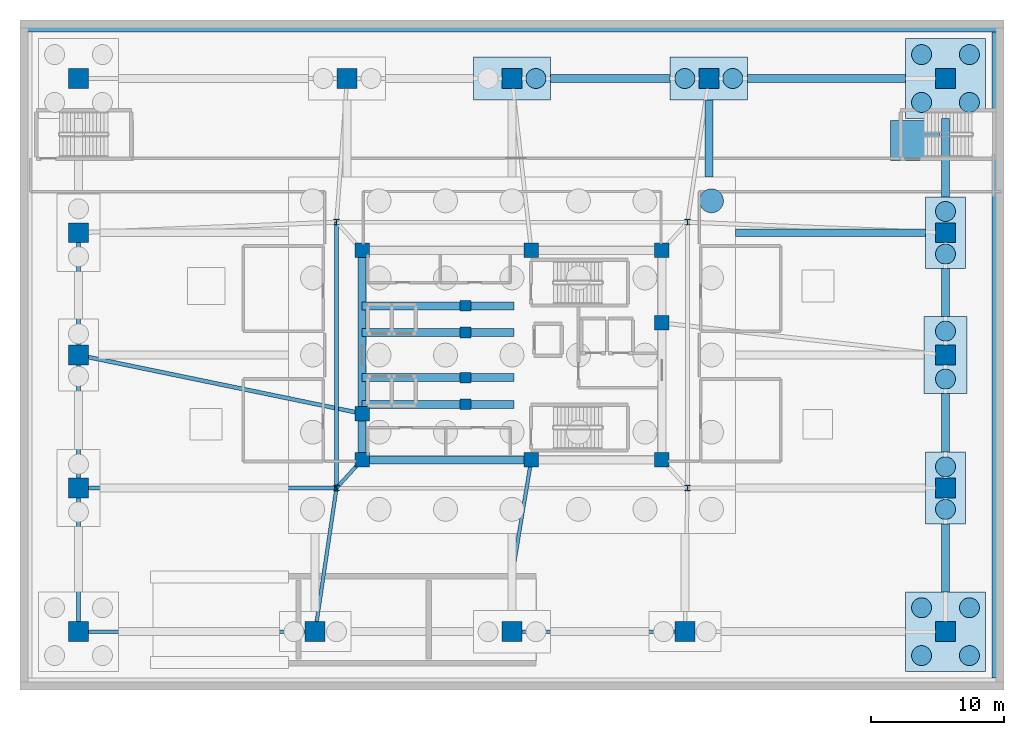
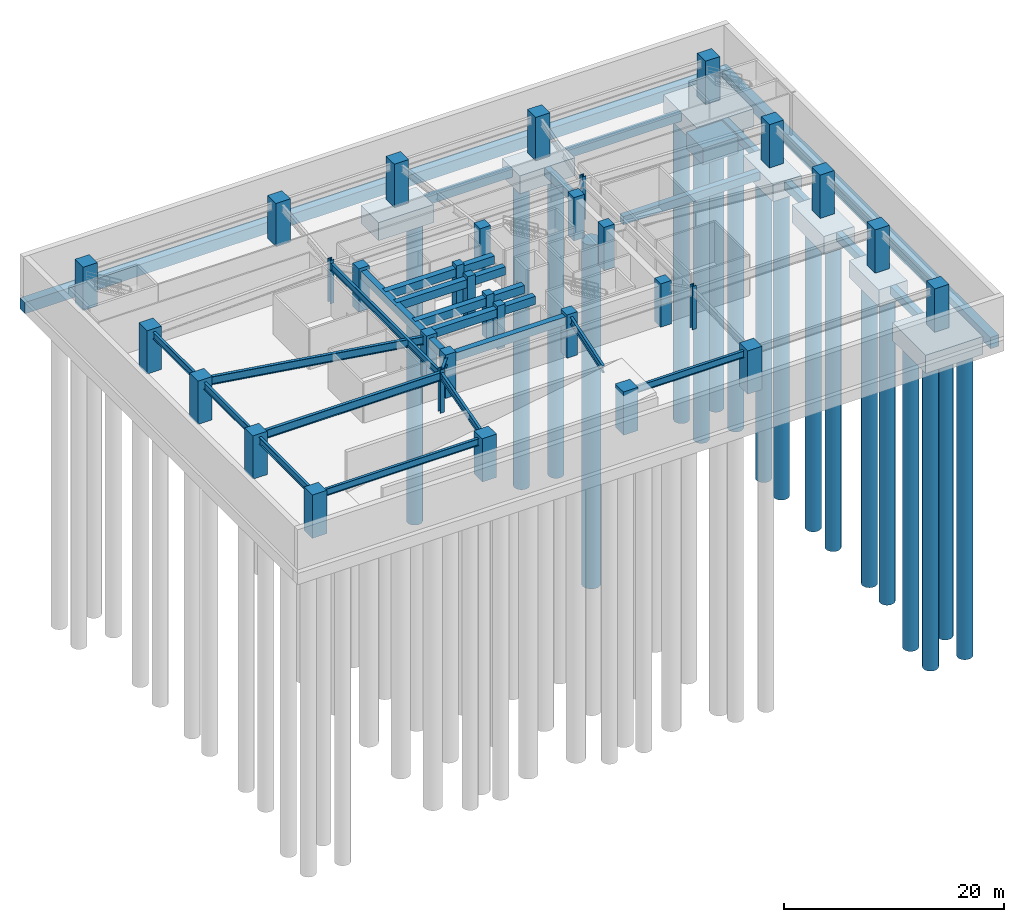
# One storey, part 2 of 8: 32 columns, 18 beams, 18 footings, 18 piles.
"""IFC4 building model written with IfcOpenShell, lengths in metres."""

import ifcopenshell
import ifcopenshell.guid

model = None  # the IFC model being written
_history = None  # IfcOwnerHistory: only IFC2X3 demands one
_inside = {}  # id of a spatial element -> (the spatial element, [elements in it])
_under = {}  # id of a project, library or spatial element -> (it, [spatial elements below it])
_declared = {}  # id of a project -> (the project, [libraries it declares])
_typed = {}  # id of a type object -> (the type object, [elements of that type])
_made_of = {}  # id of a material, layer set ... -> (it, [elements and type objects made of it])


def new_model(schema):
    """Start an empty IFC model of exactly this schema.

    Asked for "IFC4X3", IfcOpenShell would pick the latest addendum, in which some entities
    have other attributes; the version numbers below select the first issue.
    IFC2X3 requires an IfcOwnerHistory on every rooted entity: one is made here for all.
    """
    global model, _history
    if schema == "IFC4X3":
        model = ifcopenshell.file(schema_version=(4, 3, 0, 0))
    else:
        model = ifcopenshell.file(schema=schema)
    _inside.clear()
    _under.clear()
    _declared.clear()
    _typed.clear()
    _made_of.clear()
    _history = None
    if model.schema == "IFC2X3":
        org = make("IfcOrganization", Name="unknown")
        user = make(
            "IfcPersonAndOrganization",
            ThePerson=make("IfcPerson", FamilyName="unknown"),
            TheOrganization=org,
        )
        app = make(
            "IfcApplication",
            ApplicationDeveloper=org,
            Version="unknown",
            ApplicationFullName="unknown",
            ApplicationIdentifier="unknown",
        )
        _history = make(
            "IfcOwnerHistory",
            OwningUser=user,
            OwningApplication=app,
            ChangeAction="ADDED",
            CreationDate=0,
        )
    return model


def make(cls, **values):
    """One entity of the class cls with the attributes given. An attribute that is None is left unset."""
    return model.create_entity(
        cls, **{name: value for name, value in values.items() if value is not None}
    )


def rooted(cls, **values):
    """An entity with a GlobalId (a new one), such as an element, a storey or a relation."""
    return make(cls, GlobalId=ifcopenshell.guid.new(), OwnerHistory=_history, **values)


def si_unit(unit_type, name, prefix=None):
    """IfcSIUnit, for example si_unit("LENGTHUNIT", "METRE", prefix="MILLI")."""
    return make("IfcSIUnit", UnitType=unit_type, Prefix=prefix, Name=name)


def assignment(units):
    """IfcUnitAssignment: the units of a project."""
    return None if units is None else make("IfcUnitAssignment", Units=units)


def point(xyz):
    """IfcCartesianPoint."""
    return None if xyz is None else make("IfcCartesianPoint", Coordinates=xyz)


def direction(xyz):
    """IfcDirection."""
    return None if xyz is None else make("IfcDirection", DirectionRatios=xyz)


def frame(location, z_axis=None, x_axis=None):
    """IfcAxis2Placement3D, a coordinate frame: its origin and axes. An axis left out is left unset."""
    return make(
        "IfcAxis2Placement3D",
        Location=point(location),
        Axis=direction(z_axis),
        RefDirection=direction(x_axis),
    )


def frame_2d(location, x_axis=None):
    """IfcAxis2Placement2D, a coordinate frame in the plane: its origin and x axis."""
    return make(
        "IfcAxis2Placement2D", Location=point(location), RefDirection=direction(x_axis)
    )


def origin():
    """The frame at (0, 0, 0) with its axes left unset."""
    return frame((0.0, 0.0, 0.0))


def origin_2d():
    """The frame at (0, 0) in the plane with its x axis left unset."""
    return frame_2d((0.0, 0.0))


def place(relative_to, where):
    """IfcLocalPlacement: puts the frame where relative to a parent placement (None: the world)."""
    return make(
        "IfcLocalPlacement", PlacementRelTo=relative_to, RelativePlacement=where
    )


def context(
    kind, dimensions, precision=None, world=None, true_north=None, identifier=None
):
    """IfcGeometricRepresentationContext, for example the 3D "Model" context."""
    return make(
        "IfcGeometricRepresentationContext",
        ContextIdentifier=identifier,
        ContextType=kind,
        CoordinateSpaceDimension=dimensions,
        Precision=precision,
        WorldCoordinateSystem=world,
        TrueNorth=true_north,
    )


def subcontext(parent, identifier, kind, view, scale=None):
    """IfcGeometricRepresentationSubContext, for example "Body" below "Model"."""
    return make(
        "IfcGeometricRepresentationSubContext",
        ContextIdentifier=identifier,
        ContextType=kind,
        ParentContext=parent,
        TargetScale=scale,
        TargetView=view,
    )


def project(units=None, contexts=None):
    """IfcProject with its units and contexts."""
    return rooted(
        "IfcProject",
        Name="project",
        RepresentationContexts=contexts,
        UnitsInContext=assignment(units),
    )


def spatial(cls, under=None, at=None, **own):
    """A site, building, storey or space (cls), placed at a placement, below another one or the project."""
    s = rooted(cls, ObjectPlacement=at, **own)
    if under is not None:
        _under.setdefault(under.id(), (under, []))[1].append(s)
    return s


def polyline(points):
    """IfcPolyline through the points."""
    return make("IfcPolyline", Points=[point(p) for p in points])


def profile(cls, at=None, kind="AREA", **sizes):
    """A parametric profile (cls). Its sizes go by their IFC names, for example OverallWidth=200.0."""
    return make(cls, ProfileType=kind, Position=at, **sizes)


def rectangle(**sizes):
    """IfcRectangleProfileDef."""
    return profile("IfcRectangleProfileDef", **sizes)


def circle(**sizes):
    """IfcCircleProfileDef."""
    return profile("IfcCircleProfileDef", **sizes)


def i_section(**sizes):
    """IfcIShapeProfileDef."""
    return profile("IfcIShapeProfileDef", **sizes)


def outline(outer, holes=None, kind="AREA"):
    """IfcArbitraryClosedProfileDef: a profile drawn as a closed curve; with holes, ...WithVoids."""
    if holes is None:
        return make("IfcArbitraryClosedProfileDef", ProfileType=kind, OuterCurve=outer)
    return make(
        "IfcArbitraryProfileDefWithVoids",
        ProfileType=kind,
        OuterCurve=outer,
        InnerCurves=holes,
    )


def extrude(swept, where, along, depth):
    """IfcExtrudedAreaSolid: the profile swept, set in the frame where, extruded along a direction by depth."""
    return make(
        "IfcExtrudedAreaSolid",
        SweptArea=swept,
        Position=where,
        ExtrudedDirection=direction(along),
        Depth=depth,
    )


def shape(context_of_items, identifier, shape_type, items):
    """IfcShapeRepresentation: the items that make up one representation, for example the "Body"."""
    return make(
        "IfcShapeRepresentation",
        ContextOfItems=context_of_items,
        RepresentationIdentifier=identifier,
        RepresentationType=shape_type,
        Items=items,
    )


def material(Name=None, Category=None):
    """IfcMaterial."""
    return make("IfcMaterial", Name=Name, Category=Category)


def layer(
    of_material, thickness, ventilated=None, Name=None, Category=None, Priority=None
):
    """IfcMaterialLayer: one layer of a wall or slab, of a material (None: an air gap)."""
    return make(
        "IfcMaterialLayer",
        Material=of_material,
        LayerThickness=thickness,
        IsVentilated=ventilated,
        Name=Name,
        Category=Category,
        Priority=Priority,
    )


def layer_set(layers, Name=None):
    """IfcMaterialLayerSet."""
    return make("IfcMaterialLayerSet", MaterialLayers=layers, LayerSetName=Name)


def material_profile(
    of_material, cross_section, Name=None, Category=None, Priority=None
):
    """IfcMaterialProfile: a cross section and its material."""
    return make(
        "IfcMaterialProfile",
        Name=Name,
        Material=of_material,
        Profile=cross_section,
        Priority=Priority,
        Category=Category,
    )


def profile_set(profiles, Name=None, composite=None):
    """IfcMaterialProfileSet."""
    return make(
        "IfcMaterialProfileSet",
        Name=Name,
        MaterialProfiles=profiles,
        CompositeProfile=composite,
    )


def made_of(thing, what):
    """Note that an element or type object is made of a material, layer set ...; save() writes the relation."""
    if what is not None:
        _made_of.setdefault(what.id(), (what, []))[1].append(thing)
    return thing


def type_object(cls, material=None, **own):
    """A type object (cls), such as IfcWallType, which elements share."""
    return made_of(rooted(cls, **own), material)


def element(
    cls,
    number,
    at=None,
    inside=None,
    cuts=None,
    type_object=None,
    material=None,
    context=None,
    identifier="Body",
    shape_type=None,
    held_by="IfcProductDefinitionShape",
    body=None,
    shapes=None,
    **own,
):
    """One element of the class cls, such as IfcWall. Its Tag is "e" and its number.

    at: its placement. inside: the storey or other place that contains it. cuts: it is an
    opening in that element (IfcRelVoidsElement). A single representation is given by context,
    identifier, shape_type and body (its items); several are given by shapes. held_by: the class
    of the entity that holds the representations. save() writes the other relations.
    """
    e = rooted(cls, Tag="e%d" % number, ObjectPlacement=at, **own)
    if body is not None:
        shapes = [shape(context, identifier, shape_type, body)]
    if shapes is not None:
        e.Representation = make(held_by, Representations=shapes)
    if inside is not None:
        _inside.setdefault(inside.id(), (inside, []))[1].append(e)
    if cuts is not None:
        rooted(
            "IfcRelVoidsElement", RelatingBuildingElement=cuts, RelatedOpeningElement=e
        )
    if type_object is not None:
        _typed.setdefault(type_object.id(), (type_object, []))[1].append(e)
    return made_of(e, material)


def aggregate(whole, parts):
    """IfcRelAggregates: a whole, such as a stair, and the parts it consists of."""
    return rooted("IfcRelAggregates", RelatingObject=whole, RelatedObjects=parts)


def save(model, path):
    """Write the relations noted so far, then the file.

    IfcRelAggregates (storeys below a building ...), IfcRelContainedInSpatialStructure (elements
    in a storey), IfcRelDefinesByType, IfcRelAssociatesMaterial and IfcRelDeclares: one each for
    every whole, place, type object, material and project.
    """
    for whole, parts in _under.values():
        aggregate(whole, parts)
    for where, things in _inside.values():
        rooted(
            "IfcRelContainedInSpatialStructure",
            RelatedElements=things,
            RelatingStructure=where,
        )
    for kind, things in _typed.values():
        rooted("IfcRelDefinesByType", RelatedObjects=things, RelatingType=kind)
    for what, things in _made_of.values():
        rooted("IfcRelAssociatesMaterial", RelatedObjects=things, RelatingMaterial=what)
    for by, libraries in _declared.values():
        rooted("IfcRelDeclares", RelatingContext=by, RelatedDefinitions=libraries)
    model.write(path)


model = new_model("IFC4")

# Units and contexts
model_context = context("Model", 3, precision=1e-05, world=origin(), true_north=direction((0.0, 1.0)))
body_context = subcontext(model_context, "Body", "Model", "MODEL_VIEW")
ifc_project = project(units=[si_unit("LENGTHUNIT", "METRE"), si_unit("AREAUNIT", "SQUARE_METRE"), si_unit("VOLUMEUNIT", "CUBIC_METRE"), si_unit("PLANEANGLEUNIT", "RADIAN"), si_unit("MASSUNIT", "GRAM", prefix="KILO")], contexts=[model_context])

# Site, building, storey
site_placement = place(None, origin())
site = spatial("IfcSite", under=ifc_project, at=site_placement, CompositionType="ELEMENT")
building_placement = place(site_placement, origin())
building = spatial("IfcBuilding", under=site, at=building_placement, Name="Zulverin Broadcast Headquarters", CompositionType="ELEMENT")
storey_placement = place(building_placement, frame((0.0, 0.0, -9.60009765625)))
storey = spatial("IfcBuildingStorey", under=building, at=storey_placement, Name="B2", CompositionType="ELEMENT", Elevation=-9.60009765625)

# Footings
ifc_material_1 = material(Name="Concrete C50/60", Category="concrete")
ifc_layer_1 = layer(ifc_material_1, 2.0, Name="Concrete C50/60", Category="concrete")
ifc_layer_set_1 = layer_set([ifc_layer_1], Name="Concrete C50/60")
footing_type_1 = type_object("IfcFootingType", Name="FTG-PC-01", PredefinedType="PILE_CAP", material=ifc_layer_set_1)
footing_1_placement = place(storey_placement, frame((0.0, 0.0, -2.39990234375)))
element("IfcFooting", 1, at=footing_1_placement, inside=storey, type_object=footing_type_1, Name="Podium Pile Cap P05", PredefinedType="PILE_CAP", context=body_context, shape_type="SweptSolid", body=[
    extrude(outline(polyline([(66.60009765625, 1.39990234375), (72.60009765625, 1.39990234375), (72.60009765625, 7.39990234375), (66.60009765625, 7.39990234375), (66.60009765625, 1.39990234375)])), origin(), (0.0, 0.0, 1.0), 2.0),
])
footing_2_placement = place(storey_placement, frame((0.0, 0.0, -2.39990234375)))
element("IfcFooting", 2, at=footing_2_placement, inside=storey, type_object=footing_type_1, Name="Podium Pile Cap P10", PredefinedType="PILE_CAP", context=body_context, shape_type="SweptSolid", body=[
    extrude(outline(polyline([(66.60009765625, 43.0), (72.60009765625, 43.0), (72.60009765625, 49.0), (66.60009765625, 49.0), (66.60009765625, 43.0)])), origin(), (0.0, 0.0, 1.0), 2.0),
])
ifc_layer_2 = layer(ifc_material_1, 2.0, Name="Concrete C50/60", Category="concrete")
ifc_layer_set_2 = layer_set([ifc_layer_2], Name="Concrete C50/60")
footing_type_2 = type_object("IfcFootingType", Name="FTG-PC-02", PredefinedType="PILE_CAP", material=ifc_layer_set_2)
footing_3_placement = place(storey_placement, frame((0.0, 0.0, -2.39990234375)))
element("IfcFooting", 3, at=footing_3_placement, inside=storey, type_object=footing_type_2, Name="Podium Pile Cap P08", PredefinedType="PILE_CAP", context=body_context, shape_type="SweptSolid", body=[
    extrude(outline(polyline([(34.10009765625, 44.39990234375), (39.89990234375, 44.39990234375), (39.89990234375, 47.60009765625), (34.10009765625, 47.60009765625), (34.10009765625, 44.39990234375)])), origin(), (0.0, 0.0, 1.0), 2.0),
])
footing_4_placement = place(storey_placement, frame((0.0, 0.0, -2.39990234375)))
element("IfcFooting", 4, at=footing_4_placement, inside=storey, type_object=footing_type_2, Name="Podium Pile Cap P09", PredefinedType="PILE_CAP", context=body_context, shape_type="SweptSolid", body=[
    extrude(outline(polyline([(48.89990234375, 44.39990234375), (54.699951171875, 44.39990234375), (54.699951171875, 47.60009765625), (48.89990234375, 47.60009765625), (48.89990234375, 44.39990234375)])), origin(), (0.0, 0.0, 1.0), 2.0),
])
ifc_layer_3 = layer(ifc_material_1, 2.0, Name="Concrete C50/60", Category="concrete")
ifc_layer_set_3 = layer_set([ifc_layer_3], Name="Concrete C50/60")
footing_type_3 = type_object("IfcFootingType", Name="FTG-PC-03", PredefinedType="PILE_CAP", material=ifc_layer_set_3)
footing_5_placement = place(storey_placement, frame((0.0, 0.0, -2.39990234375)))
element("IfcFooting", 5, at=footing_5_placement, inside=storey, type_object=footing_type_3, Name="Podium Pile Cap P15", PredefinedType="PILE_CAP", context=body_context, shape_type="SweptSolid", body=[
    extrude(outline(polyline([(68.0, 22.300048828125), (71.199951171875, 22.300048828125), (71.199951171875, 28.10009765625), (68.0, 28.10009765625), (68.0, 22.300048828125)])), origin(), (0.0, 0.0, 1.0), 2.0),
])
ifc_layer_4 = layer(ifc_material_1, 1.89990234375, Name="Concrete C50/60", Category="concrete")
ifc_layer_set_4 = layer_set([ifc_layer_4], Name="Concrete C50/60")
footing_type_4 = type_object("IfcFootingType", Name="FTG-PC-05", PredefinedType="PILE_CAP", material=ifc_layer_set_4)
footing_6_placement = place(storey_placement, frame((0.0, 0.0, -2.2998046875)))
element("IfcFooting", 6, at=footing_6_placement, inside=storey, type_object=footing_type_4, Name="Podium Pile Cap P14", PredefinedType="PILE_CAP", context=body_context, shape_type="SweptSolid", body=[
    extrude(outline(polyline([(68.10009765625, 12.5), (71.10009765625, 12.5), (71.10009765625, 17.89990234375), (68.10009765625, 17.89990234375), (68.10009765625, 12.5)])), origin(), (0.0, 0.0, 1.0), 1.89990234375),
])
footing_7_placement = place(storey_placement, frame((0.0, 0.0, -2.2998046875)))
element("IfcFooting", 7, at=footing_7_placement, inside=storey, type_object=footing_type_4, Name="Podium Pile Cap P16", PredefinedType="PILE_CAP", context=body_context, shape_type="SweptSolid", body=[
    extrude(outline(polyline([(68.10009765625, 31.699951171875), (71.10009765625, 31.699951171875), (71.10009765625, 37.10009765625), (68.10009765625, 37.10009765625), (68.10009765625, 31.699951171875)])), origin(), (0.0, 0.0, 1.0), 1.89990234375),
])
ifc_layer_5 = layer(ifc_material_1, 1.800048828125, Name="Concrete C50/60", Category="concrete")
ifc_layer_set_5 = layer_set([ifc_layer_5], Name="Concrete C50/60")
footing_type_5 = type_object("IfcFootingType", Name="FTG-PC-06", PredefinedType="PILE_CAP", material=ifc_layer_set_5)
footing_8_placement = place(storey_placement, frame((0.0, 0.0, -2.199951171875)))
element("IfcFooting", 8, at=footing_8_placement, inside=storey, type_object=footing_type_5, Name="ST-4 Stairwell Mat Footing", PredefinedType="PILE_CAP", context=body_context, shape_type="SweptSolid", body=[
    extrude(outline(polyline([(65.449951171875, 39.85009765625), (69.14990234375, 39.85009765625), (69.14990234375, 42.85009765625), (65.449951171875, 42.85009765625), (65.449951171875, 39.85009765625)])), origin(), (0.0, 0.0, 1.0), 1.800048828125),
])
ifc_layer_6 = layer(ifc_material_1, 1.25, Name="Concrete C50/60", Category="concrete")
ifc_layer_set_6 = layer_set([ifc_layer_6], Name="Concrete C50/60")
footing_type_6 = type_object("IfcFootingType", Name="FTG-SF-74000x900x1250", PredefinedType="STRIP_FOOTING", material=ifc_layer_set_6)
footing_9_placement = place(storey_placement, frame((0.0, 0.0, -1.64990234375)))
element("IfcFooting", 9, at=footing_9_placement, inside=storey, type_object=footing_type_6, Name="Retaining Wall Strip Footing SF-02", PredefinedType="STRIP_FOOTING", context=body_context, shape_type="SweptSolid", body=[
    extrude(outline(polyline([(0.0, 49.5), (74.0, 49.5), (74.0, 50.39990234375), (0.0, 50.39990234375), (0.0, 49.5)])), origin(), (0.0, 0.0, 1.0), 1.25),
])
ifc_layer_7 = layer(ifc_material_1, 1.25, Name="Concrete C50/60", Category="concrete")
ifc_layer_set_7 = layer_set([ifc_layer_7], Name="Concrete C50/60")
footing_type_7 = type_object("IfcFootingType", Name="FTG-SF-900x48600x1250", PredefinedType="STRIP_FOOTING", material=ifc_layer_set_7)
footing_10_placement = place(storey_placement, frame((0.0, 0.0, -1.64990234375)))
element("IfcFooting", 10, at=footing_10_placement, inside=storey, type_object=footing_type_7, Name="Retaining Wall Strip Footing SF-04", PredefinedType="STRIP_FOOTING", context=body_context, shape_type="SweptSolid", body=[
    extrude(outline(polyline([(73.10009765625, 0.89990234375), (74.0, 0.89990234375), (74.0, 49.5), (73.10009765625, 49.5), (73.10009765625, 0.89990234375)])), origin(), (0.0, 0.0, 1.0), 1.25),
])
ifc_material_profile_1 = material_profile(ifc_material_1, rectangle(XDim=0.60009765625, YDim=0.89990234375, at=origin_2d()), Name="Concrete C50/60", Category="concrete")
ifc_profile_set_1 = profile_set([ifc_material_profile_1], Name="Concrete C50/60")
footing_type_8 = type_object("IfcFootingType", Name="FTG-TB-600x900", PredefinedType="FOOTING_BEAM", material=ifc_profile_set_1)
footing_11_placement = place(storey_placement, frame((39.89990234375, 46.0, -0.849853515625), z_axis=(1.0, 0.0, 0.0), x_axis=(0.0, 1.0, 0.0)))
element("IfcFooting", 11, at=footing_11_placement, inside=storey, type_object=footing_type_8, Name="Foundation Tie Beam TB-07", PredefinedType="FOOTING_BEAM", context=body_context, shape_type="SweptSolid", body=[
    extrude(rectangle(XDim=0.60009765625, YDim=0.89990234375, at=origin_2d()), origin(), (0.0, 0.0, 1.0), 9.0),
])
footing_12_placement = place(storey_placement, frame((54.699951171875, 46.0, -0.849853515625), z_axis=(1.0, 0.0, 0.0), x_axis=(0.0, 1.0, 0.0)))
element("IfcFooting", 12, at=footing_12_placement, inside=storey, type_object=footing_type_8, Name="Foundation Tie Beam TB-08", PredefinedType="FOOTING_BEAM", context=body_context, shape_type="SweptSolid", body=[
    extrude(rectangle(XDim=0.60009765625, YDim=0.89990234375, at=origin_2d()), origin(), (0.0, 0.0, 1.0), 11.900146484375),
])
footing_13_placement = place(storey_placement, frame((69.60009765625, 7.39990234375, -0.849853515625), z_axis=(0.0, 1.0, 0.0), x_axis=(-1.0, 0.0, 0.0)))
element("IfcFooting", 13, at=footing_13_placement, inside=storey, type_object=footing_type_8, Name="Foundation Tie Beam TB-13", PredefinedType="FOOTING_BEAM", context=body_context, shape_type="SweptSolid", body=[
    extrude(rectangle(XDim=0.60009765625, YDim=0.89990234375, at=origin_2d()), origin(), (0.0, 0.0, 1.0), 5.10009765625),
])
footing_14_placement = place(storey_placement, frame((69.60009765625, 17.89990234375, -0.849853515625), z_axis=(0.0, 1.0, 0.0), x_axis=(-1.0, 0.0, 0.0)))
element("IfcFooting", 14, at=footing_14_placement, inside=storey, type_object=footing_type_8, Name="Foundation Tie Beam TB-14", PredefinedType="FOOTING_BEAM", context=body_context, shape_type="SweptSolid", body=[
    extrude(rectangle(XDim=0.60009765625, YDim=0.89990234375, at=origin_2d()), origin(), (0.0, 0.0, 1.0), 4.400146484375),
])
footing_15_placement = place(storey_placement, frame((69.60009765625, 28.10009765625, -0.849853515625), z_axis=(0.0, 1.0, 0.0), x_axis=(-1.0, 0.0, 0.0)))
element("IfcFooting", 15, at=footing_15_placement, inside=storey, type_object=footing_type_8, Name="Foundation Tie Beam TB-15", PredefinedType="FOOTING_BEAM", context=body_context, shape_type="SweptSolid", body=[
    extrude(rectangle(XDim=0.60009765625, YDim=0.89990234375, at=origin_2d()), origin(), (0.0, 0.0, 1.0), 3.599853515625),
])
footing_16_placement = place(storey_placement, frame((69.60009765625, 37.10009765625, -0.849853515625), z_axis=(0.0, 1.0, 0.0), x_axis=(-1.0, 0.0, 0.0)))
element("IfcFooting", 16, at=footing_16_placement, inside=storey, type_object=footing_type_8, Name="Foundation Tie Beam TB-16", PredefinedType="FOOTING_BEAM", context=body_context, shape_type="SweptSolid", body=[
    extrude(rectangle(XDim=0.60009765625, YDim=0.89990234375, at=origin_2d()), origin(), (0.0, 0.0, 1.0), 5.89990234375),
])
footing_17_placement = place(storey_placement, frame((51.800048828125, 38.60009765625, -0.849853515625), z_axis=(0.0, 1.0, 0.0), x_axis=(-1.0, 0.0, 0.0)))
element("IfcFooting", 17, at=footing_17_placement, inside=storey, type_object=footing_type_8, Name="Foundation Tie Beam TB-22", PredefinedType="FOOTING_BEAM", context=body_context, shape_type="SweptSolid", body=[
    extrude(rectangle(XDim=0.60009765625, YDim=0.89990234375, at=origin_2d()), origin(), (0.0, 0.0, 1.0), 5.7998046875),
])
footing_18_placement = place(storey_placement, frame((53.800048828125, 34.39990234375, -0.849853515625), z_axis=(1.0, 0.0, 0.0), x_axis=(0.0, 1.0, 0.0)))
element("IfcFooting", 18, at=footing_18_placement, inside=storey, type_object=footing_type_8, Name="Foundation Tie Beam TB-28", PredefinedType="FOOTING_BEAM", context=body_context, shape_type="SweptSolid", body=[
    extrude(rectangle(XDim=0.60009765625, YDim=0.89990234375, at=origin_2d()), origin(), (0.0, 0.0, 1.0), 14.300048828125),
])

# Piles
ifc_material_profile_2 = material_profile(ifc_material_1, circle(Radius=0.75, at=origin_2d()), Name="Concrete C50/60", Category="concrete")
ifc_profile_set_2 = profile_set([ifc_material_profile_2], Name="Concrete C50/60")
pile_type_1 = type_object("IfcPileType", Name="PILE-D1500-C50", PredefinedType="SUPPORT", material=ifc_profile_set_2)
for number, where, z_axis, x_axis, name in (
    (19, (67.800048828125, 2.60009765625, -2.2998046875), (0.0, 0.0, -1.0), (1.0, 0.0, 0.0), "Podium Bored Pile P2-11"),
    (20, (71.39990234375, 2.60009765625, -2.2998046875), (0.0, 0.0, -1.0), (1.0, 0.0, 0.0), "Podium Bored Pile P2-12"),
    (21, (67.800048828125, 6.199951171875, -2.2998046875), (0.0, 0.0, -1.0), (1.0, 0.0, 0.0), "Podium Bored Pile P2-13"),
    (22, (71.39990234375, 6.199951171875, -2.2998046875), (0.0, 0.0, -1.0), (1.0, 0.0, 0.0), "Podium Bored Pile P2-14"),
    (23, (38.800048828125, 46.0, -2.2998046875), (0.0, 0.0, -1.0), (1.0, 0.0, 0.0), "Podium Bored Pile P2-22"),
    (24, (50.0, 46.0, -2.2998046875), (0.0, 0.0, -1.0), (1.0, 0.0, 0.0), "Podium Bored Pile P2-23"),
    (25, (53.60009765625, 46.0, -2.2998046875), (0.0, 0.0, -1.0), (1.0, 0.0, 0.0), "Podium Bored Pile P2-24"),
    (26, (67.800048828125, 44.199951171875, -2.2998046875), (0.0, 0.0, -1.0), (1.0, 0.0, 0.0), "Podium Bored Pile P2-25"),
    (27, (71.39990234375, 44.199951171875, -2.2998046875), (0.0, 0.0, -1.0), (1.0, 0.0, 0.0), "Podium Bored Pile P2-26"),
    (28, (67.800048828125, 47.800048828125, -2.2998046875), (0.0, 0.0, -1.0), (1.0, 0.0, 0.0), "Podium Bored Pile P2-27"),
    (29, (71.39990234375, 47.800048828125, -2.2998046875), (0.0, 0.0, -1.0), (1.0, 0.0, 0.0), "Podium Bored Pile P2-28"),
):
    element("IfcPile", number, at=place(storey_placement, frame(where, z_axis=z_axis, x_axis=x_axis)), inside=storey, type_object=pile_type_1, Name=name, PredefinedType="SUPPORT", context=body_context, shape_type="SweptSolid", body=[
        extrude(circle(Radius=0.75, at=origin_2d()), origin(), (0.0, 0.0, 1.0), 33.699951171875),
    ])
for number, where, z_axis, x_axis, name in (
    (30, (69.60009765625, 13.60009765625, -2.199951171875), (0.0, 0.0, -1.0), (1.0, 0.0, 0.0), "Podium Bored Pile P2-35"),
    (31, (69.60009765625, 16.800048828125, -2.199951171875), (0.0, 0.0, -1.0), (1.0, 0.0, 0.0), "Podium Bored Pile P2-36"),
):
    element("IfcPile", number, at=place(storey_placement, frame(where, z_axis=z_axis, x_axis=x_axis)), inside=storey, type_object=pile_type_1, Name=name, PredefinedType="SUPPORT", context=body_context, shape_type="SweptSolid", body=[
        extrude(circle(Radius=0.75, at=origin_2d()), origin(), (0.0, 0.0, 1.0), 33.800048828125),
    ])
for number, where, z_axis, x_axis, name in (
    (32, (69.60009765625, 23.39990234375, -2.2998046875), (0.0, 0.0, -1.0), (1.0, 0.0, 0.0), "Podium Bored Pile P2-37"),
    (33, (69.60009765625, 27.0, -2.2998046875), (0.0, 0.0, -1.0), (1.0, 0.0, 0.0), "Podium Bored Pile P2-38"),
):
    element("IfcPile", number, at=place(storey_placement, frame(where, z_axis=z_axis, x_axis=x_axis)), inside=storey, type_object=pile_type_1, Name=name, PredefinedType="SUPPORT", context=body_context, shape_type="SweptSolid", body=[
        extrude(circle(Radius=0.75, at=origin_2d()), origin(), (0.0, 0.0, 1.0), 33.699951171875),
    ])
for number, where, z_axis, x_axis, name in (
    (34, (69.60009765625, 32.800048828125, -2.199951171875), (0.0, 0.0, -1.0), (1.0, 0.0, 0.0), "Podium Bored Pile P2-39"),
    (35, (69.60009765625, 36.0, -2.199951171875), (0.0, 0.0, -1.0), (1.0, 0.0, 0.0), "Podium Bored Pile P2-40"),
):
    element("IfcPile", number, at=place(storey_placement, frame(where, z_axis=z_axis, x_axis=x_axis)), inside=storey, type_object=pile_type_1, Name=name, PredefinedType="SUPPORT", context=body_context, shape_type="SweptSolid", body=[
        extrude(circle(Radius=0.75, at=origin_2d()), origin(), (0.0, 0.0, 1.0), 33.800048828125),
    ])
ifc_material_profile_3 = material_profile(ifc_material_1, circle(Radius=0.89990234375, at=origin_2d()), Name="Concrete C50/60", Category="concrete")
ifc_profile_set_3 = profile_set([ifc_material_profile_3], Name="Concrete C50/60")
pile_type_2 = type_object("IfcPileType", Name="PILE-D1800-C50", PredefinedType="BORED", material=ifc_profile_set_3)
pile_placement = place(storey_placement, frame((52.0, 36.800048828125, -3.89990234375), z_axis=(0.0, 0.0, -1.0), x_axis=(1.0, 0.0, 0.0)))
element("IfcPile", 36, at=pile_placement, inside=storey, type_object=pile_type_2, Name="Tower Raft Bored Pile P1-35", PredefinedType="BORED", context=body_context, shape_type="SweptSolid", body=[
    extrude(circle(Radius=0.89990234375, at=origin_2d()), origin(), (0.0, 0.0, 1.0), 38.10009765625),
])

# Columns
ifc_material_2 = material(Name="Concrete C60/75", Category="concrete")
ifc_material_profile_4 = material_profile(ifc_material_2, rectangle(XDim=1.5, YDim=1.5, at=origin_2d()), Name="Concrete C60/75", Category="concrete")
ifc_profile_set_4 = profile_set([ifc_material_profile_4], Name="Concrete C60/75")
column_type_1 = type_object("IfcColumnType", Name="COL-RC-1500", PredefinedType="COLUMN", material=ifc_profile_set_4)
for number, where, z_axis, x_axis, name in (
    (37, (4.39990234375, 4.39990234375, 0.0), (0.0, 0.0, 1.0), (1.0, 0.0, 0.0), "B2 Podium Mega Column P01"),
    (38, (22.199951171875, 4.39990234375, 0.0), (0.0, 0.0, 1.0), (1.0, 0.0, 0.0), "B2 Podium Mega Column P02"),
    (39, (37.0, 4.39990234375, 0.0), (0.0, 0.0, 1.0), (1.0, 0.0, 0.0), "B2 Podium Mega Column P03"),
    (40, (50.0, 4.39990234375, 0.0), (0.0, 0.0, 1.0), (1.0, 0.0, 0.0), "B2 Podium Mega Column P04"),
    (41, (69.60009765625, 4.39990234375, 0.0), (0.0, 0.0, 1.0), (1.0, 0.0, 0.0), "B2 Podium Mega Column P05"),
    (42, (4.39990234375, 46.0, 0.0), (0.0, 0.0, 1.0), (1.0, 0.0, 0.0), "B2 Podium Mega Column P06"),
    (43, (24.60009765625, 46.0, 0.0), (0.0, 0.0, 1.0), (1.0, 0.0, 0.0), "B2 Podium Mega Column P07"),
    (44, (37.0, 46.0, 0.0), (0.0, 0.0, 1.0), (1.0, 0.0, 0.0), "B2 Podium Mega Column P08"),
    (45, (51.800048828125, 46.0, 0.0), (0.0, 0.0, 1.0), (1.0, 0.0, 0.0), "B2 Podium Mega Column P09"),
    (46, (69.60009765625, 46.0, 0.0), (0.0, 0.0, 1.0), (1.0, 0.0, 0.0), "B2 Podium Mega Column P10"),
    (47, (4.39990234375, 15.199951171875, 0.0), (0.0, 0.0, 1.0), (1.0, 0.0, 0.0), "B2 Podium Mega Column P11"),
    (48, (4.39990234375, 25.199951171875, 0.0), (0.0, 0.0, 1.0), (1.0, 0.0, 0.0), "B2 Podium Mega Column P12"),
    (49, (4.39990234375, 34.39990234375, 0.0), (0.0, 0.0, 1.0), (1.0, 0.0, 0.0), "B2 Podium Mega Column P13"),
    (50, (69.60009765625, 15.199951171875, 0.0), (0.0, 0.0, 1.0), (1.0, 0.0, 0.0), "B2 Podium Mega Column P14"),
    (51, (69.60009765625, 25.199951171875, 0.0), (0.0, 0.0, 1.0), (1.0, 0.0, 0.0), "B2 Podium Mega Column P15"),
    (52, (69.60009765625, 34.39990234375, 0.0), (0.0, 0.0, 1.0), (1.0, 0.0, 0.0), "B2 Podium Mega Column P16"),
):
    element("IfcColumn", number, at=place(storey_placement, frame(where, z_axis=z_axis, x_axis=x_axis)), inside=storey, type_object=column_type_1, Name=name, PredefinedType="COLUMN", context=body_context, shape_type="SweptSolid", body=[
        extrude(rectangle(XDim=1.5, YDim=1.5, at=origin_2d()), origin(), (0.0, 0.0, 1.0), 4.800048828125),
    ])
ifc_material_profile_5 = material_profile(ifc_material_1, rectangle(XDim=0.800048828125, YDim=0.800048828125, at=origin_2d()), Name="Concrete C50/60", Category="concrete")
ifc_profile_set_5 = profile_set([ifc_material_profile_5], Name="Concrete C50/60")
column_type_2 = type_object("IfcColumnType", Name="COL-RC-800", PredefinedType="COLUMN", material=ifc_profile_set_5)
for number, where, z_axis, x_axis, name in (
    (53, (33.5, 21.5, 0.0), (0.0, 0.0, 1.0), (1.0, 0.0, 0.0), "B2 Zoned Lift Pit Support Column 1"),
    (54, (33.5, 23.5, 0.0), (0.0, 0.0, 1.0), (1.0, 0.0, 0.0), "B2 Zoned Lift Pit Support Column 2"),
    (55, (33.5, 26.89990234375, 0.0), (0.0, 0.0, 1.0), (1.0, 0.0, 0.0), "B2 Zoned Lift Pit Support Column 3"),
    (56, (33.5, 28.89990234375, 0.0), (0.0, 0.0, 1.0), (1.0, 0.0, 0.0), "B2 Zoned Lift Pit Support Column 4"),
):
    element("IfcColumn", number, at=place(storey_placement, frame(where, z_axis=z_axis, x_axis=x_axis)), inside=storey, type_object=column_type_2, Name=name, PredefinedType="COLUMN", context=body_context, shape_type="SweptSolid", body=[
        extrude(rectangle(XDim=0.800048828125, YDim=0.800048828125, at=origin_2d()), origin(), (0.0, 0.0, 1.0), 4.800048828125),
    ])
ifc_material_3 = material(Name="Structural steel S460M", Category="steel")
ifc_material_profile_6 = material_profile(ifc_material_3, i_section(OverallWidth=0.41845703125, OverallDepth=0.45556640625, WebThickness=0.0419921875, FlangeThickness=0.0673828125, at=origin_2d()), Name="Structural steel S460M", Category="steel")
ifc_profile_set_6 = profile_set([ifc_material_profile_6], Name="Structural steel S460M")
column_type_3 = type_object("IfcColumnType", Name="COL-UC-551", PredefinedType="COLUMN", material=ifc_profile_set_6)
for number, where, z_axis, x_axis, name in (
    (57, (23.800048828125, 15.199951171875, 0.0), (0.0, 0.0, 1.0), (1.0, 0.0, 0.0), "B2 Podium Mega Column M01"),
    (58, (50.199951171875, 15.199951171875, 0.0), (0.0, 0.0, 1.0), (1.0, 0.0, 0.0), "B2 Podium Mega Column M02"),
    (59, (50.199951171875, 35.199951171875, 0.0), (0.0, 0.0, 1.0), (1.0, 0.0, 0.0), "B2 Podium Mega Column M03"),
    (60, (23.800048828125, 35.199951171875, 0.0), (0.0, 0.0, 1.0), (1.0, 0.0, 0.0), "B2 Podium Mega Column M04"),
):
    element("IfcColumn", number, at=place(storey_placement, frame(where, z_axis=z_axis, x_axis=x_axis)), inside=storey, type_object=column_type_3, Name=name, PredefinedType="COLUMN", context=body_context, shape_type="SweptSolid", body=[
        extrude(i_section(OverallWidth=0.41845703125, OverallDepth=0.45556640625, WebThickness=0.0419921875, FlangeThickness=0.0673828125, at=origin_2d()), origin(), (0.0, 0.0, 1.0), 4.800048828125),
    ])
ifc_material_profile_7 = material_profile(ifc_material_2, rectangle(XDim=1.10009765625, YDim=1.10009765625, at=origin_2d()), Name="Concrete C60/75", Category="concrete")
ifc_profile_set_7 = profile_set([ifc_material_profile_7], Name="Concrete C60/75")
column_type_4 = type_object("IfcColumnType", Name="PIL-RC-1100", PredefinedType="PILASTER", material=ifc_profile_set_7)
for number, where, z_axis, x_axis, name in (
    (61, (25.72509765625, 17.324951171875, 0.0), (0.0, 0.0, 1.0), (1.0, 0.0, 0.0), "B2 Core Pilaster K01"),
    (62, (38.449951171875, 17.324951171875, 0.0), (0.0, 0.0, 1.0), (1.0, 0.0, 0.0), "B2 Core Pilaster K02"),
    (63, (48.27490234375, 17.324951171875, 0.0), (0.0, 0.0, 1.0), (1.0, 0.0, 0.0), "B2 Core Pilaster K03"),
    (64, (48.27490234375, 27.6201171875, 0.0), (0.0, 0.0, 1.0), (1.0, 0.0, 0.0), "B2 Core Pilaster K04"),
    (65, (48.27490234375, 33.074951171875, 0.0), (0.0, 0.0, 1.0), (1.0, 0.0, 0.0), "B2 Core Pilaster K05"),
    (66, (38.449951171875, 33.074951171875, 0.0), (0.0, 0.0, 1.0), (1.0, 0.0, 0.0), "B2 Core Pilaster K06"),
    (67, (25.72509765625, 33.074951171875, 0.0), (0.0, 0.0, 1.0), (1.0, 0.0, 0.0), "B2 Core Pilaster K07"),
    (68, (25.72509765625, 20.800048828125, 0.0), (0.0, 0.0, 1.0), (1.0, 0.0, 0.0), "B2 Core Pilaster K08"),
):
    element("IfcColumn", number, at=place(storey_placement, frame(where, z_axis=z_axis, x_axis=x_axis)), inside=storey, type_object=column_type_4, Name=name, PredefinedType="PILASTER", context=body_context, shape_type="SweptSolid", body=[
        extrude(rectangle(XDim=1.10009765625, YDim=1.10009765625, at=origin_2d()), origin(), (0.0, 0.0, 1.0), 4.800048828125),
    ])

# Beams
ifc_material_profile_8 = material_profile(ifc_material_2, rectangle(XDim=0.60009765625, YDim=0.89990234375, at=origin_2d()), Name="Concrete C60/75", Category="concrete")
ifc_profile_set_8 = profile_set([ifc_material_profile_8], Name="Concrete C60/75")
beam_type_1 = type_object("IfcBeamType", Name="BM-CB-600x900", PredefinedType="LINTEL", material=ifc_profile_set_8)
beam_1_placement = place(storey_placement, frame((25.72509765625, 17.324951171875, 4.0), z_axis=(1.0, 0.0, 0.0), x_axis=(0.0, 1.0, 0.0)))
element("IfcBeam", 69, at=beam_1_placement, inside=storey, type_object=beam_type_1, Name="B2 Core Coupling Girder K01-K02", PredefinedType="LINTEL", context=body_context, shape_type="SweptSolid", body=[
    extrude(rectangle(XDim=0.60009765625, YDim=0.89990234375, at=origin_2d()), origin(), (0.0, 0.0, 1.0), 12.724853515625),
])
beam_2_placement = place(storey_placement, frame((25.72509765625, 33.074951171875, 4.0), z_axis=(0.0, -1.0, 0.0), x_axis=(1.0, 0.0, 0.0)))
element("IfcBeam", 70, at=beam_2_placement, inside=storey, type_object=beam_type_1, Name="B2 Core Coupling Girder K07-K08", PredefinedType="LINTEL", context=body_context, shape_type="SweptSolid", body=[
    extrude(rectangle(XDim=0.60009765625, YDim=0.89990234375, at=origin_2d()), origin(), (0.0, 0.0, 1.0), 12.27490234375),
])
beam_3_placement = place(storey_placement, frame((25.72509765625, 20.800048828125, 4.0), z_axis=(0.0, -1.0, 0.0), x_axis=(1.0, 0.0, 0.0)))
element("IfcBeam", 71, at=beam_3_placement, inside=storey, type_object=beam_type_1, Name="B2 Core Coupling Girder K08-K01", PredefinedType="LINTEL", context=body_context, shape_type="SweptSolid", body=[
    extrude(rectangle(XDim=0.60009765625, YDim=0.89990234375, at=origin_2d()), origin(), (0.0, 0.0, 1.0), 3.47509765625),
])
ifc_material_profile_9 = material_profile(ifc_material_3, i_section(OverallWidth=0.300048828125, OverallDepth=0.89990234375, WebThickness=0.0185546875, FlangeThickness=0.034912109375, at=origin_2d()), Name="Structural steel S460M", Category="steel")
ifc_profile_set_9 = profile_set([ifc_material_profile_9], Name="Structural steel S460M")
beam_type_2 = type_object("IfcBeamType", Name="BM-HEB-900", PredefinedType="BEAM", material=ifc_profile_set_9)
beam_4_placement = place(storey_placement, frame((4.39990234375, 25.199951171875, 4.0), z_axis=(0.979371499946, -0.202067971471, 0.0), x_axis=(0.202067971471, 0.979371499946, 0.0)))
element("IfcBeam", 72, at=beam_4_placement, inside=storey, type_object=beam_type_2, Name="B2 Long-Span Studio Girder P12-K08", PredefinedType="BEAM", context=body_context, shape_type="SweptSolid", body=[
    extrude(i_section(OverallWidth=0.300048828125, OverallDepth=0.89990234375, WebThickness=0.0185546875, FlangeThickness=0.034912109375, at=origin_2d()), origin(), (0.0, 0.0, 1.0), 21.7744140625),
])
ifc_material_4 = material(Name="Concrete C40/50", Category="concrete")
ifc_material_profile_10 = material_profile(ifc_material_4, rectangle(XDim=0.60009765625, YDim=0.89990234375, at=origin_2d()), Name="Concrete C40/50", Category="concrete")
ifc_profile_set_10 = profile_set([ifc_material_profile_10], Name="Concrete C40/50")
beam_type_3 = type_object("IfcBeamType", Name="BM-RC-600x900", PredefinedType="BEAM", material=ifc_profile_set_10)
for number, where, z_axis, x_axis, name in (
    (73, (25.72509765625, 21.5, 4.0), (1.0, 0.0, 0.0), (0.0, 1.0, 0.0), "B1 Zoned Lift Pit Support Girder MID-S"),
    (74, (25.72509765625, 23.5, 4.0), (1.0, 0.0, 0.0), (0.0, 1.0, 0.0), "B1 Zoned Lift Pit Support Girder MID-N"),
    (75, (25.72509765625, 26.89990234375, 4.0), (1.0, 0.0, 0.0), (0.0, 1.0, 0.0), "B1 Zoned Lift Pit Support Girder HIGH-S"),
    (76, (25.72509765625, 28.89990234375, 4.0), (1.0, 0.0, 0.0), (0.0, 1.0, 0.0), "B1 Zoned Lift Pit Support Girder HIGH-N"),
):
    element("IfcBeam", number, at=place(storey_placement, frame(where, z_axis=z_axis, x_axis=x_axis)), inside=storey, type_object=beam_type_3, Name=name, PredefinedType="BEAM", context=body_context, shape_type="SweptSolid", body=[
        extrude(rectangle(XDim=0.60009765625, YDim=0.89990234375, at=origin_2d()), origin(), (0.0, 0.0, 1.0), 11.4248046875),
    ])
ifc_material_5 = material(Name="Structural steel S355JR", Category="steel")
ifc_material_profile_11 = material_profile(ifc_material_5, i_section(OverallWidth=0.26806640625, OverallDepth=0.769775390625, WebThickness=0.015625, FlangeThickness=0.025390625, at=origin_2d()), Name="Structural steel S355JR", Category="steel")
ifc_profile_set_11 = profile_set([ifc_material_profile_11], Name="Structural steel S355JR")
beam_type_4 = type_object("IfcBeamType", Name="BM-UB-762", PredefinedType="BEAM", material=ifc_profile_set_11)
beam_5_placement = place(storey_placement, frame((4.39990234375, 4.39990234375, 4.065185546875), z_axis=(1.0, 0.0, 0.0), x_axis=(0.0, 1.0, 0.0)))
element("IfcBeam", 77, at=beam_5_placement, inside=storey, type_object=beam_type_4, Name="B2 Podium Primary Girder P01-P02", PredefinedType="BEAM", context=body_context, shape_type="SweptSolid", body=[
    extrude(i_section(OverallWidth=0.26806640625, OverallDepth=0.769775390625, WebThickness=0.015625, FlangeThickness=0.025390625, at=origin_2d()), origin(), (0.0, 0.0, 1.0), 17.800048828125),
])
beam_6_placement = place(storey_placement, frame((37.0, 4.39990234375, 4.065185546875), z_axis=(1.0, 0.0, 0.0), x_axis=(0.0, 1.0, 0.0)))
element("IfcBeam", 78, at=beam_6_placement, inside=storey, type_object=beam_type_4, Name="B2 Podium Primary Girder P03-P04", PredefinedType="BEAM", context=body_context, shape_type="SweptSolid", body=[
    extrude(i_section(OverallWidth=0.26806640625, OverallDepth=0.769775390625, WebThickness=0.015625, FlangeThickness=0.025390625, at=origin_2d()), origin(), (0.0, 0.0, 1.0), 13.0),
])
beam_7_placement = place(storey_placement, frame((4.39990234375, 34.39990234375, 4.065185546875), z_axis=(0.0, -1.0, 0.0), x_axis=(1.0, 0.0, 0.0)))
element("IfcBeam", 79, at=beam_7_placement, inside=storey, type_object=beam_type_4, Name="B2 Podium Primary Girder P13-P12", PredefinedType="BEAM", context=body_context, shape_type="SweptSolid", body=[
    extrude(i_section(OverallWidth=0.26806640625, OverallDepth=0.769775390625, WebThickness=0.015625, FlangeThickness=0.025390625, at=origin_2d()), origin(), (0.0, 0.0, 1.0), 9.199951171875),
])
beam_8_placement = place(storey_placement, frame((4.39990234375, 25.199951171875, 4.065185546875), z_axis=(0.0, -1.0, 0.0), x_axis=(1.0, 0.0, 0.0)))
element("IfcBeam", 80, at=beam_8_placement, inside=storey, type_object=beam_type_4, Name="B2 Podium Primary Girder P12-P11", PredefinedType="BEAM", context=body_context, shape_type="SweptSolid", body=[
    extrude(i_section(OverallWidth=0.26806640625, OverallDepth=0.769775390625, WebThickness=0.015625, FlangeThickness=0.025390625, at=origin_2d()), origin(), (0.0, 0.0, 1.0), 10.0),
])
beam_9_placement = place(storey_placement, frame((4.39990234375, 15.199951171875, 4.065185546875), z_axis=(0.0, -1.0, 0.0), x_axis=(1.0, 0.0, 0.0)))
element("IfcBeam", 81, at=beam_9_placement, inside=storey, type_object=beam_type_4, Name="B2 Podium Primary Girder P11-P01", PredefinedType="BEAM", context=body_context, shape_type="SweptSolid", body=[
    extrude(i_section(OverallWidth=0.26806640625, OverallDepth=0.769775390625, WebThickness=0.015625, FlangeThickness=0.025390625, at=origin_2d()), origin(), (0.0, 0.0, 1.0), 10.800048828125),
])
beam_10_placement = place(storey_placement, frame((23.800048828125, 15.199951171875, 4.065185546875), z_axis=(0.671379160881, 0.741114041383, 0.0), x_axis=(-0.741114041383, 0.671379160881, 0.0)))
element("IfcBeam", 82, at=beam_10_placement, inside=storey, type_object=beam_type_4, Name="B2 Podium Primary Girder M01-K01", PredefinedType="BEAM", context=body_context, shape_type="SweptSolid", body=[
    extrude(i_section(OverallWidth=0.26806640625, OverallDepth=0.769775390625, WebThickness=0.015625, FlangeThickness=0.025390625, at=origin_2d()), origin(), (0.0, 0.0, 1.0), 2.8671875),
])
beam_11_placement = place(storey_placement, frame((23.800048828125, 35.199951171875, 4.065185546875), z_axis=(0.0, -1.0, 0.0), x_axis=(1.0, 0.0, 0.0)))
element("IfcBeam", 83, at=beam_11_placement, inside=storey, type_object=beam_type_4, Name="B2 Podium Primary Girder M04-M01", PredefinedType="BEAM", context=body_context, shape_type="SweptSolid", body=[
    extrude(i_section(OverallWidth=0.26806640625, OverallDepth=0.769775390625, WebThickness=0.015625, FlangeThickness=0.025390625, at=origin_2d()), origin(), (0.0, 0.0, 1.0), 20.0),
])
beam_12_placement = place(storey_placement, frame((37.0, 8.580078125, 4.065185546875), z_axis=(0.163572665951, 0.986531288381, 0.0), x_axis=(-0.986531288381, 0.163572665951, 0.0)))
element("IfcBeam", 84, at=beam_12_placement, inside=storey, type_object=beam_type_4, Name="B2 Podium Primary Girder P03-K02", PredefinedType="BEAM", context=body_context, shape_type="SweptSolid", body=[
    extrude(i_section(OverallWidth=0.26806640625, OverallDepth=0.769775390625, WebThickness=0.015625, FlangeThickness=0.025390625, at=origin_2d()), origin(), (0.0, 0.0, 1.0), 8.8642578125),
])
beam_13_placement = place(storey_placement, frame((22.199951171875, 4.39990234375, 4.065185546875), z_axis=(0.146556765224, 0.989202261707, 0.0), x_axis=(-0.989202261707, 0.146556765224, 0.0)))
element("IfcBeam", 85, at=beam_13_placement, inside=storey, type_object=beam_type_4, Name="B2 Podium Primary Girder P02-M01", PredefinedType="BEAM", context=body_context, shape_type="SweptSolid", body=[
    extrude(i_section(OverallWidth=0.26806640625, OverallDepth=0.769775390625, WebThickness=0.015625, FlangeThickness=0.025390625, at=origin_2d()), origin(), (0.0, 0.0, 1.0), 10.91796875),
])
ifc_material_profile_12 = material_profile(ifc_material_3, i_section(OverallWidth=0.3076171875, OverallDepth=0.926513671875, WebThickness=0.01953125, FlangeThickness=0.031982421875, at=origin_2d()), Name="Structural steel S460M", Category="steel")
ifc_profile_set_12 = profile_set([ifc_material_profile_12], Name="Structural steel S460M")
beam_type_5 = type_object("IfcBeamType", Name="BM-UB-914", PredefinedType="BEAM", material=ifc_profile_set_12)
beam_14_placement = place(storey_placement, frame((4.39990234375, 15.199951171875, 3.98681640625), z_axis=(1.0, 0.0, 0.0), x_axis=(0.0, 1.0, 0.0)))
element("IfcBeam", 86, at=beam_14_placement, inside=storey, type_object=beam_type_5, Name="B2 Long-Span Studio Girder P11-M01", PredefinedType="BEAM", context=body_context, shape_type="SweptSolid", body=[
    extrude(i_section(OverallWidth=0.3076171875, OverallDepth=0.926513671875, WebThickness=0.01953125, FlangeThickness=0.031982421875, at=origin_2d()), origin(), (0.0, 0.0, 1.0), 19.400146484375),
])

save(model, "model.ifc")
